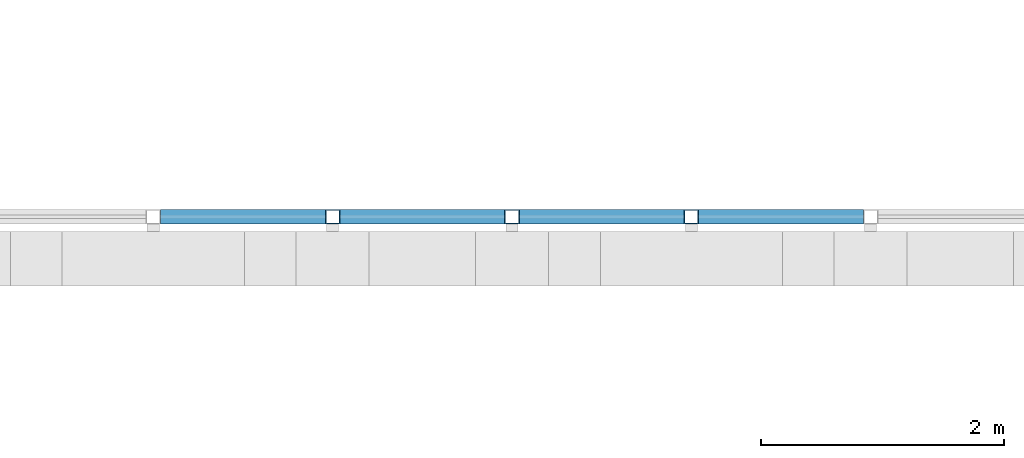
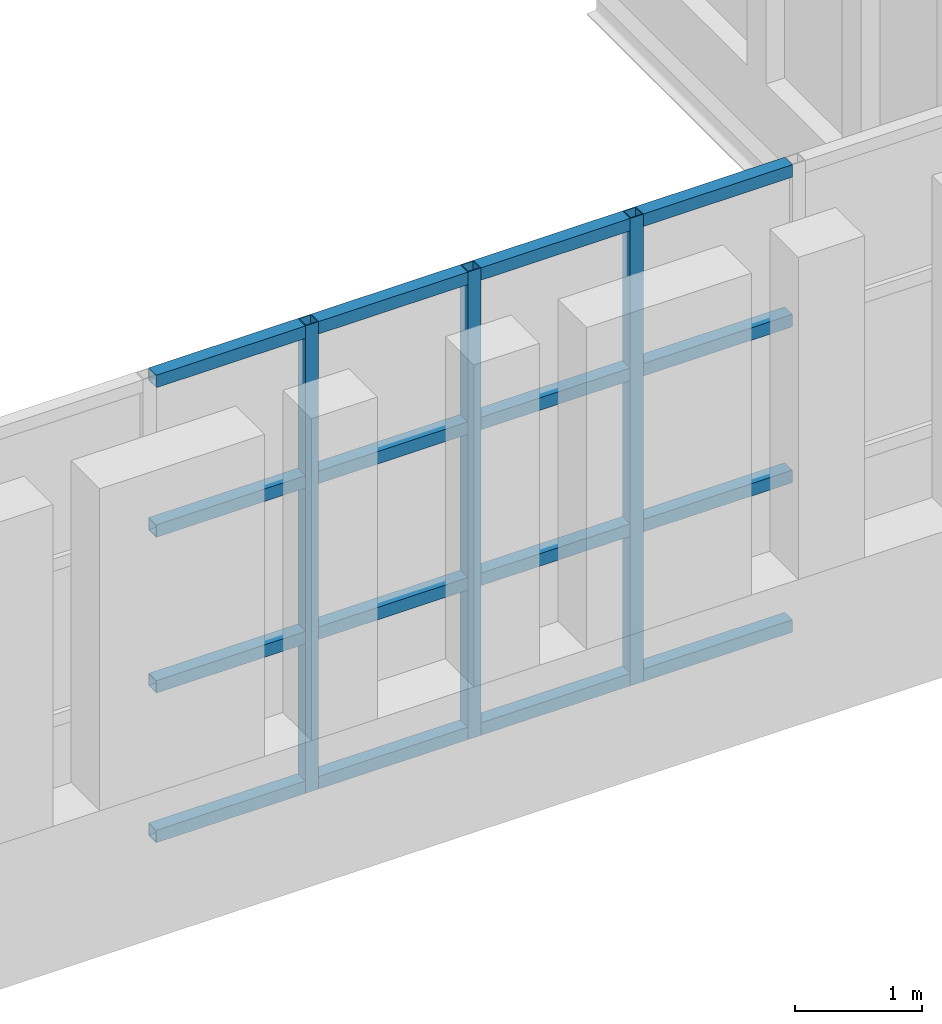
# One storey, part 29 of 131: 19 members, 1 element without a shape of its own.
"""IFC4 building model written with IfcOpenShell, lengths in metres."""

from ifc_helpers import new_model, si_unit, direction, frame, origin, origin_2d, place, context, subcontext, project, spatial, hollow_rectangle, extrude, material, material_profile, profile_set, type_object, element, aggregate, save


model = new_model("IFC4")

# Units and contexts
model_context = context("Model", 3, precision=1e-05, world=origin(), true_north=direction((0.0, 1.0)))
body_context = subcontext(model_context, "Body", "Model", "MODEL_VIEW")
ifc_project = project(units=[si_unit("LENGTHUNIT", "METRE"), si_unit("AREAUNIT", "SQUARE_METRE"), si_unit("VOLUMEUNIT", "CUBIC_METRE"), si_unit("PLANEANGLEUNIT", "RADIAN"), si_unit("MASSUNIT", "GRAM", prefix="KILO")], contexts=[model_context])

# Site, building, storey
site_placement = place(None, origin())
site = spatial("IfcSite", under=ifc_project, at=site_placement, CompositionType="ELEMENT")
building_placement = place(site_placement, origin())
building = spatial("IfcBuilding", under=site, at=building_placement, Name="Golden Quay Civic Hall", CompositionType="ELEMENT")
storey_placement = place(building_placement, frame((0.0, 0.0, 9.89990234375)))
storey = spatial("IfcBuildingStorey", under=building, at=storey_placement, Name="L02", CompositionType="ELEMENT", Elevation=9.89990234375)

# Curtain wall, members
ifc_material_1 = material(Name="Glass and aluminium", Category="aluminium")
curtain_wall_type = type_object("IfcCurtainWallType", Name="Glazed curtain wall 1500 module", PredefinedType="NOTDEFINED", material=ifc_material_1)
curtain_wall_placement = place(storey_placement, origin())
curtain_wall = element("IfcCurtainWall", 1, at=curtain_wall_placement, inside=storey, type_object=curtain_wall_type, Name="CW1 curtain wall", PredefinedType="NOTDEFINED")
ifc_material_2 = material(Name="Steel S355", Category="steel")
ifc_material_profile_1 = material_profile(ifc_material_2, hollow_rectangle(XDim=0.1201171875, YDim=0.1201171875, WallThickness=0.008056640625, at=origin_2d()), Name="SHS 120x120x8")
ifc_profile_set_1 = profile_set([ifc_material_profile_1], Name="Steel S355")
member_type_1 = type_object("IfcMemberType", Name="Steel mullion SHS 120x120x8", PredefinedType="MULLION", material=ifc_profile_set_1)
member_1_placement = place(storey_placement, frame((91.4111328125, 0.27001953125, -0.199951171875), z_axis=(0.0, 0.0, 1.0), x_axis=(0.0, 1.0, 0.0)))
member_1 = element("IfcMember", 2, at=member_1_placement, type_object=member_type_1, Name="CW1 mullion 14", PredefinedType="MULLION", context=body_context, shape_type="SweptSolid", body=[
    extrude(hollow_rectangle(XDim=0.1201171875, YDim=0.1201171875, WallThickness=0.008056640625, at=origin_2d()), origin(), (0.0, 0.0, 1.0), 4.5),
])
member_2_placement = place(storey_placement, frame((92.888916015625, 0.27001953125, -0.199951171875), z_axis=(0.0, 0.0, 1.0), x_axis=(0.0, 1.0, 0.0)))
member_2 = element("IfcMember", 3, at=member_2_placement, type_object=member_type_1, Name="CW1 mullion 15", PredefinedType="MULLION", context=body_context, shape_type="SweptSolid", body=[
    extrude(hollow_rectangle(XDim=0.1201171875, YDim=0.1201171875, WallThickness=0.008056640625, at=origin_2d()), origin(), (0.0, 0.0, 1.0), 4.5),
])
member_3_placement = place(storey_placement, frame((94.36669921875, 0.27001953125, -0.199951171875), z_axis=(0.0, 0.0, 1.0), x_axis=(0.0, 1.0, 0.0)))
member_3 = element("IfcMember", 4, at=member_3_placement, type_object=member_type_1, Name="CW1 mullion 16", PredefinedType="MULLION", context=body_context, shape_type="SweptSolid", body=[
    extrude(hollow_rectangle(XDim=0.1201171875, YDim=0.1201171875, WallThickness=0.008056640625, at=origin_2d()), origin(), (0.0, 0.0, 1.0), 4.5),
])
ifc_material_3 = material(Name="Steel S355", Category="steel")
ifc_material_profile_2 = material_profile(ifc_material_3, hollow_rectangle(XDim=0.1201171875, YDim=0.1201171875, WallThickness=0.008056640625, at=origin_2d()), Name="SHS 120x120x8")
ifc_profile_set_2 = profile_set([ifc_material_profile_2], Name="Steel S355")
member_type_2 = type_object("IfcMemberType", Name="Steel transom SHS 120x120x8", PredefinedType="USERDEFINED", material=ifc_profile_set_2)
member_4_placement = place(storey_placement, frame((89.993408203125, 0.27001953125, -0.139892578125), z_axis=(1.0, 0.0, 0.0), x_axis=(0.0, 1.0, 0.0)))
member_4 = element("IfcMember", 5, at=member_4_placement, type_object=member_type_2, Name="CW1 transom 13.1", ObjectType="TRANSOM", PredefinedType="USERDEFINED", context=body_context, shape_type="SweptSolid", body=[
    extrude(hollow_rectangle(XDim=0.1201171875, YDim=0.1201171875, WallThickness=0.008056640625, at=origin_2d()), origin(), (0.0, 0.0, 1.0), 1.357666015625),
])
member_5_placement = place(storey_placement, frame((89.993408203125, 0.27001953125, 1.300048828125), z_axis=(1.0, 0.0, 0.0), x_axis=(0.0, 1.0, 0.0)))
member_5 = element("IfcMember", 6, at=member_5_placement, type_object=member_type_2, Name="CW1 transom 13.2", ObjectType="TRANSOM", PredefinedType="USERDEFINED", context=body_context, shape_type="SweptSolid", body=[
    extrude(hollow_rectangle(XDim=0.1201171875, YDim=0.1201171875, WallThickness=0.008056640625, at=origin_2d()), origin(), (0.0, 0.0, 1.0), 1.357666015625),
])
member_6_placement = place(storey_placement, frame((89.993408203125, 0.27001953125, 2.800048828125), z_axis=(1.0, 0.0, 0.0), x_axis=(0.0, 1.0, 0.0)))
member_6 = element("IfcMember", 7, at=member_6_placement, type_object=member_type_2, Name="CW1 transom 13.3", ObjectType="TRANSOM", PredefinedType="USERDEFINED", context=body_context, shape_type="SweptSolid", body=[
    extrude(hollow_rectangle(XDim=0.1201171875, YDim=0.1201171875, WallThickness=0.008056640625, at=origin_2d()), origin(), (0.0, 0.0, 1.0), 1.357666015625),
])
member_7_placement = place(storey_placement, frame((89.993408203125, 0.27001953125, 4.239990234375), z_axis=(1.0, 0.0, 0.0), x_axis=(0.0, 1.0, 0.0)))
member_7 = element("IfcMember", 8, at=member_7_placement, type_object=member_type_2, Name="CW1 transom 13.4", ObjectType="TRANSOM", PredefinedType="USERDEFINED", context=body_context, shape_type="SweptSolid", body=[
    extrude(hollow_rectangle(XDim=0.1201171875, YDim=0.1201171875, WallThickness=0.008056640625, at=origin_2d()), origin(), (0.0, 0.0, 1.0), 1.357666015625),
])
member_8_placement = place(storey_placement, frame((91.47119140625, 0.27001953125, -0.139892578125), z_axis=(1.0, 0.0, 0.0), x_axis=(0.0, 1.0, 0.0)))
member_8 = element("IfcMember", 9, at=member_8_placement, type_object=member_type_2, Name="CW1 transom 14.1", ObjectType="TRANSOM", PredefinedType="USERDEFINED", context=body_context, shape_type="SweptSolid", body=[
    extrude(hollow_rectangle(XDim=0.1201171875, YDim=0.1201171875, WallThickness=0.008056640625, at=origin_2d()), origin(), (0.0, 0.0, 1.0), 1.357666015625),
])
member_9_placement = place(storey_placement, frame((91.47119140625, 0.27001953125, 1.300048828125), z_axis=(1.0, 0.0, 0.0), x_axis=(0.0, 1.0, 0.0)))
member_9 = element("IfcMember", 10, at=member_9_placement, type_object=member_type_2, Name="CW1 transom 14.2", ObjectType="TRANSOM", PredefinedType="USERDEFINED", context=body_context, shape_type="SweptSolid", body=[
    extrude(hollow_rectangle(XDim=0.1201171875, YDim=0.1201171875, WallThickness=0.008056640625, at=origin_2d()), origin(), (0.0, 0.0, 1.0), 1.357666015625),
])
member_10_placement = place(storey_placement, frame((91.47119140625, 0.27001953125, 2.800048828125), z_axis=(1.0, 0.0, 0.0), x_axis=(0.0, 1.0, 0.0)))
member_10 = element("IfcMember", 11, at=member_10_placement, type_object=member_type_2, Name="CW1 transom 14.3", ObjectType="TRANSOM", PredefinedType="USERDEFINED", context=body_context, shape_type="SweptSolid", body=[
    extrude(hollow_rectangle(XDim=0.1201171875, YDim=0.1201171875, WallThickness=0.008056640625, at=origin_2d()), origin(), (0.0, 0.0, 1.0), 1.357666015625),
])
member_11_placement = place(storey_placement, frame((91.47119140625, 0.27001953125, 4.239990234375), z_axis=(1.0, 0.0, 0.0), x_axis=(0.0, 1.0, 0.0)))
member_11 = element("IfcMember", 12, at=member_11_placement, type_object=member_type_2, Name="CW1 transom 14.4", ObjectType="TRANSOM", PredefinedType="USERDEFINED", context=body_context, shape_type="SweptSolid", body=[
    extrude(hollow_rectangle(XDim=0.1201171875, YDim=0.1201171875, WallThickness=0.008056640625, at=origin_2d()), origin(), (0.0, 0.0, 1.0), 1.357666015625),
])
member_12_placement = place(storey_placement, frame((92.948974609375, 0.27001953125, -0.139892578125), z_axis=(1.0, 0.0, 0.0), x_axis=(0.0, 1.0, 0.0)))
member_12 = element("IfcMember", 13, at=member_12_placement, type_object=member_type_2, Name="CW1 transom 15.1", ObjectType="TRANSOM", PredefinedType="USERDEFINED", context=body_context, shape_type="SweptSolid", body=[
    extrude(hollow_rectangle(XDim=0.1201171875, YDim=0.1201171875, WallThickness=0.008056640625, at=origin_2d()), origin(), (0.0, 0.0, 1.0), 1.357666015625),
])
member_13_placement = place(storey_placement, frame((92.948974609375, 0.27001953125, 1.300048828125), z_axis=(1.0, 0.0, 0.0), x_axis=(0.0, 1.0, 0.0)))
member_13 = element("IfcMember", 14, at=member_13_placement, type_object=member_type_2, Name="CW1 transom 15.2", ObjectType="TRANSOM", PredefinedType="USERDEFINED", context=body_context, shape_type="SweptSolid", body=[
    extrude(hollow_rectangle(XDim=0.1201171875, YDim=0.1201171875, WallThickness=0.008056640625, at=origin_2d()), origin(), (0.0, 0.0, 1.0), 1.357666015625),
])
member_14_placement = place(storey_placement, frame((92.948974609375, 0.27001953125, 2.800048828125), z_axis=(1.0, 0.0, 0.0), x_axis=(0.0, 1.0, 0.0)))
member_14 = element("IfcMember", 15, at=member_14_placement, type_object=member_type_2, Name="CW1 transom 15.3", ObjectType="TRANSOM", PredefinedType="USERDEFINED", context=body_context, shape_type="SweptSolid", body=[
    extrude(hollow_rectangle(XDim=0.1201171875, YDim=0.1201171875, WallThickness=0.008056640625, at=origin_2d()), origin(), (0.0, 0.0, 1.0), 1.357666015625),
])
member_15_placement = place(storey_placement, frame((92.948974609375, 0.27001953125, 4.239990234375), z_axis=(1.0, 0.0, 0.0), x_axis=(0.0, 1.0, 0.0)))
member_15 = element("IfcMember", 16, at=member_15_placement, type_object=member_type_2, Name="CW1 transom 15.4", ObjectType="TRANSOM", PredefinedType="USERDEFINED", context=body_context, shape_type="SweptSolid", body=[
    extrude(hollow_rectangle(XDim=0.1201171875, YDim=0.1201171875, WallThickness=0.008056640625, at=origin_2d()), origin(), (0.0, 0.0, 1.0), 1.357666015625),
])
member_16_placement = place(storey_placement, frame((94.4267578125, 0.27001953125, -0.139892578125), z_axis=(1.0, 0.0, 0.0), x_axis=(0.0, 1.0, 0.0)))
member_16 = element("IfcMember", 17, at=member_16_placement, type_object=member_type_2, Name="CW1 transom 16.1", ObjectType="TRANSOM", PredefinedType="USERDEFINED", context=body_context, shape_type="SweptSolid", body=[
    extrude(hollow_rectangle(XDim=0.1201171875, YDim=0.1201171875, WallThickness=0.008056640625, at=origin_2d()), origin(), (0.0, 0.0, 1.0), 1.357666015625),
])
member_17_placement = place(storey_placement, frame((94.4267578125, 0.27001953125, 1.300048828125), z_axis=(1.0, 0.0, 0.0), x_axis=(0.0, 1.0, 0.0)))
member_17 = element("IfcMember", 18, at=member_17_placement, type_object=member_type_2, Name="CW1 transom 16.2", ObjectType="TRANSOM", PredefinedType="USERDEFINED", context=body_context, shape_type="SweptSolid", body=[
    extrude(hollow_rectangle(XDim=0.1201171875, YDim=0.1201171875, WallThickness=0.008056640625, at=origin_2d()), origin(), (0.0, 0.0, 1.0), 1.357666015625),
])
member_18_placement = place(storey_placement, frame((94.4267578125, 0.27001953125, 2.800048828125), z_axis=(1.0, 0.0, 0.0), x_axis=(0.0, 1.0, 0.0)))
member_18 = element("IfcMember", 19, at=member_18_placement, type_object=member_type_2, Name="CW1 transom 16.3", ObjectType="TRANSOM", PredefinedType="USERDEFINED", context=body_context, shape_type="SweptSolid", body=[
    extrude(hollow_rectangle(XDim=0.1201171875, YDim=0.1201171875, WallThickness=0.008056640625, at=origin_2d()), origin(), (0.0, 0.0, 1.0), 1.357666015625),
])
member_19_placement = place(storey_placement, frame((94.4267578125, 0.27001953125, 4.239990234375), z_axis=(1.0, 0.0, 0.0), x_axis=(0.0, 1.0, 0.0)))
member_19 = element("IfcMember", 20, at=member_19_placement, type_object=member_type_2, Name="CW1 transom 16.4", ObjectType="TRANSOM", PredefinedType="USERDEFINED", context=body_context, shape_type="SweptSolid", body=[
    extrude(hollow_rectangle(XDim=0.1201171875, YDim=0.1201171875, WallThickness=0.008056640625, at=origin_2d()), origin(), (0.0, 0.0, 1.0), 1.357666015625),
])
aggregate(curtain_wall, [member_1, member_2, member_3, member_4, member_5, member_6, member_7, member_8, member_9, member_10, member_11, member_12, member_13, member_14, member_15, member_16, member_17, member_18, member_19])

save(model, "model.ifc")
